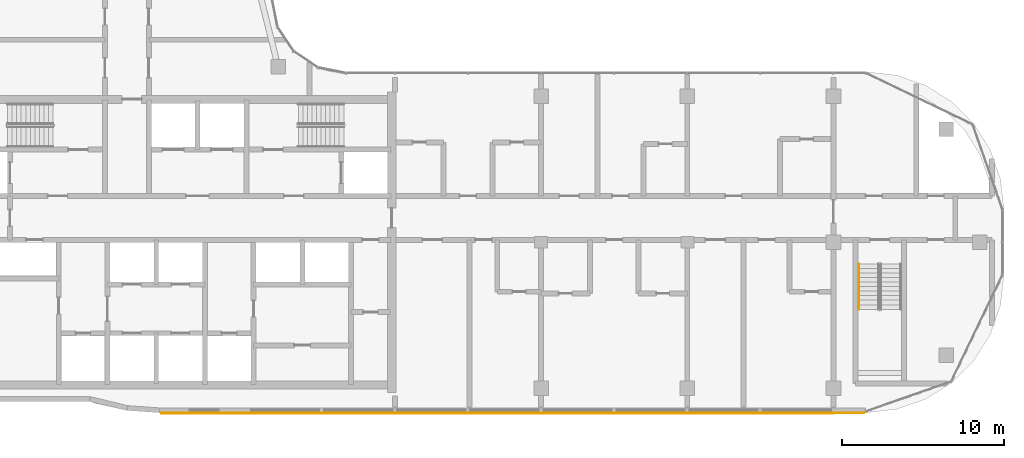
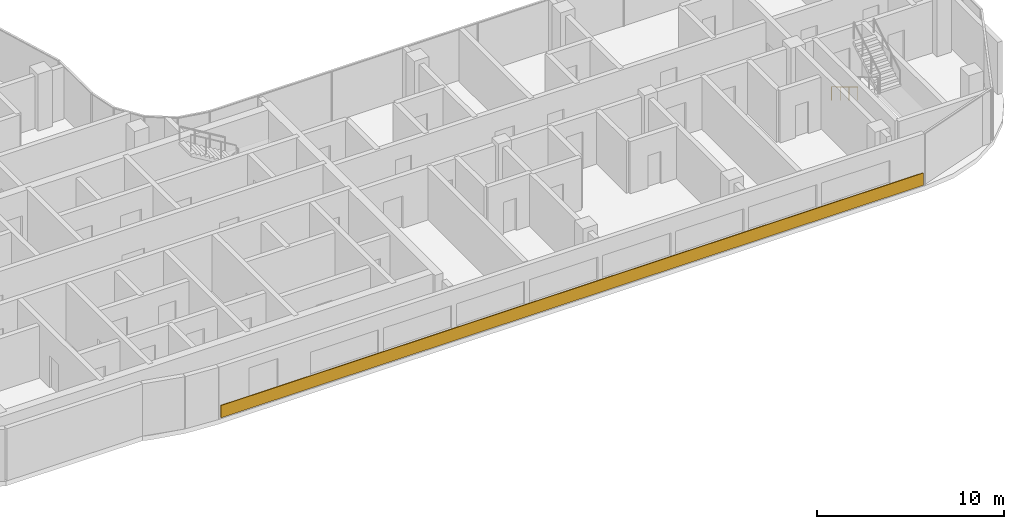
# One storey, part 18 of 19: 1 covering, 1 railing.
"""IFC4 building model written with IfcOpenShell, lengths in metres."""

from ifc_helpers import new_model, si_unit, direction, frame, origin, origin_2d, place, context, subcontext, project, spatial, rectangle, circle, extrude, material, layer, layer_set, type_object, element, save


model = new_model("IFC4")

# Units and contexts
model_context = context("Model", 3, precision=1e-05, world=origin(), true_north=direction((0.0, 1.0)))
body_context = subcontext(model_context, "Body", "Model", "MODEL_VIEW")
ifc_project = project(units=[si_unit("LENGTHUNIT", "METRE"), si_unit("AREAUNIT", "SQUARE_METRE"), si_unit("VOLUMEUNIT", "CUBIC_METRE"), si_unit("PLANEANGLEUNIT", "RADIAN"), si_unit("MASSUNIT", "GRAM", prefix="KILO")], contexts=[model_context])

# Site, building, storey
site_placement = place(None, origin())
site = spatial("IfcSite", under=ifc_project, at=site_placement, CompositionType="ELEMENT")
building_placement = place(site_placement, origin())
building = spatial("IfcBuilding", under=site, at=building_placement, Name="Ogive Portal Towers", CompositionType="ELEMENT")
storey_placement = place(building_placement, frame((0.0, 0.0, 229.10009765625)))
storey = spatial("IfcBuildingStorey", under=building, at=storey_placement, Name="L57", CompositionType="ELEMENT", Elevation=229.10009765625)

# Railing
ifc_material_1 = material(Name="Stainless steel handrail", Category="steel")
railing_type = type_object("IfcRailingType", Name="INT-HANDRAIL", PredefinedType="HANDRAIL", material=ifc_material_1)
railing_placement = place(storey_placement, frame((87.050048828125, 29.169921875, 0.16796875)))
element("IfcRailing", 1, at=railing_placement, inside=storey, type_object=railing_type, Name="L57 ST-A4 stair handrail 1", PredefinedType="HANDRAIL", context=body_context, shape_type="SweptSolid", body=[
    extrude(circle(Radius=0.02392578125, at=origin_2d()), frame((0.0, 0.0, 0.8759765625), z_axis=(0.0, -0.857222391501, 0.514946377315), x_axis=(1.0, 0.0, 0.0)), (0.0, 0.0, 1.0), 3.26611328125),
    extrude(circle(Radius=0.02099609375, at=origin_2d()), origin(), (0.0, 0.0, 1.0), 0.851806640625),
    extrude(circle(Radius=0.02099609375, at=origin_2d()), frame((0.0, -0.933349609375, 0.560546875)), (0.0, 0.0, 1.0), 0.851806640625),
    extrude(circle(Radius=0.02099609375, at=origin_2d()), frame((0.0, -1.866455078125, 1.121337890625)), (0.0, 0.0, 1.0), 0.851806640625),
    extrude(circle(Radius=0.02099609375, at=origin_2d()), frame((0.0, -2.7998046875, 1.681884765625)), (0.0, 0.0, 1.0), 0.851806640625),
])

# Covering
ifc_material_2 = material(Name="Limestone cladding on lightweight block wall", Category="masonry")
ifc_layer = layer(ifc_material_2, 0.050048828125)
ifc_layer_set = layer_set([ifc_layer], Name="SCREEN PERFORATED STONE")
covering_type = type_object("IfcCoveringType", Name="SCREEN PERFORATED STONE", PredefinedType="CLADDING", material=ifc_layer_set)
covering_placement = place(storey_placement, frame((65.74853515625, 19.97509765625, 0.10009765625), z_axis=(0.0, 0.0, 1.0), x_axis=(1.0, 0.0, 0.0)))
element("IfcCovering", 2, at=covering_placement, inside=storey, type_object=covering_type, Name="Tracery screen", PredefinedType="CLADDING", context=body_context, shape_type="SweptSolid", body=[
    extrude(rectangle(XDim=43.275634765625, YDim=0.050048828125, at=origin_2d()), origin(), (0.0, 0.0, 1.0), 0.800048828125),
])

save(model, "model.ifc")
